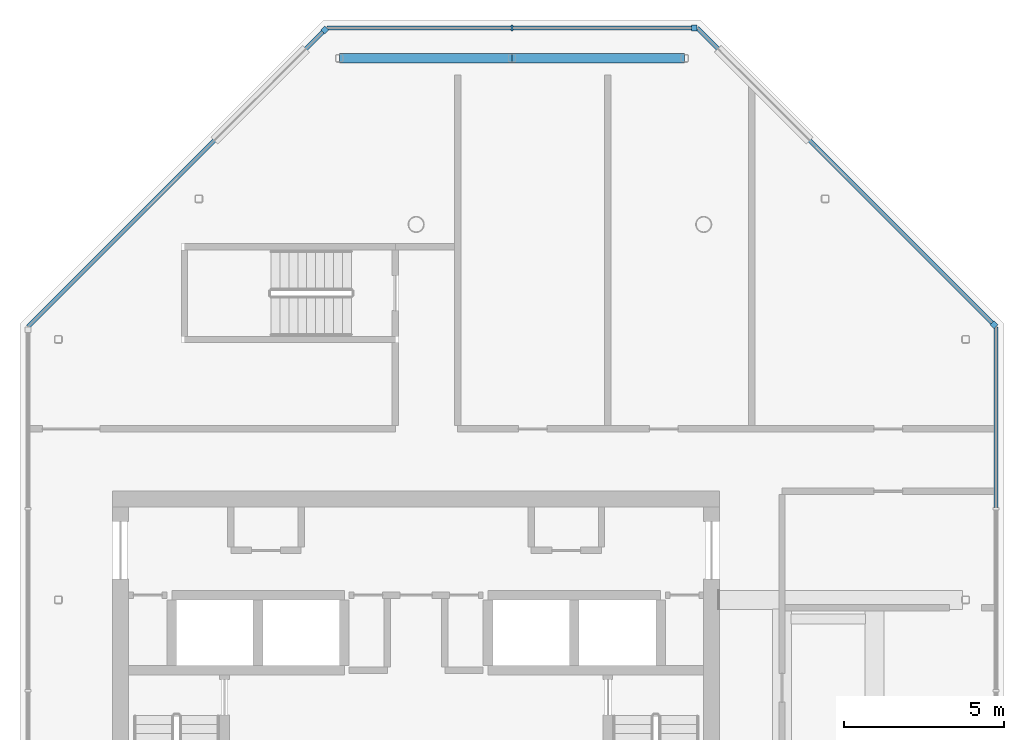
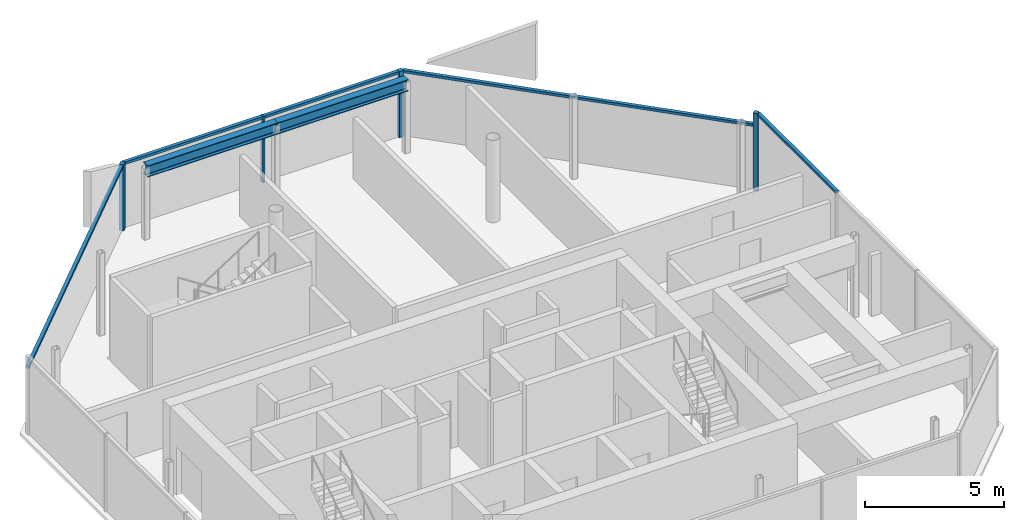
# One storey, part 3 of 7: 9 members, 2 beams, 4 elements without a shape of their own.
"""IFC4 building model written with IfcOpenShell, lengths in metres."""

from ifc_helpers import new_model, si_unit, direction, frame, origin, origin_2d, place, context, subcontext, project, spatial, rectangle, i_section, extrude, material, material_profile, profile_set, type_object, element, aggregate, save


model = new_model("IFC4")

# Units and contexts
model_context = context("Model", 3, precision=1e-05, world=origin(), true_north=direction((0.0, 1.0)))
body_context = subcontext(model_context, "Body", "Model", "MODEL_VIEW")
ifc_project = project(units=[si_unit("LENGTHUNIT", "METRE"), si_unit("AREAUNIT", "SQUARE_METRE"), si_unit("VOLUMEUNIT", "CUBIC_METRE"), si_unit("PLANEANGLEUNIT", "RADIAN"), si_unit("MASSUNIT", "GRAM", prefix="KILO")], contexts=[model_context])

# Site, building, storey
site_placement = place(None, origin())
site = spatial("IfcSite", under=ifc_project, at=site_placement, CompositionType="ELEMENT")
building_placement = place(site_placement, origin())
building = spatial("IfcBuilding", under=site, at=building_placement, Name="Tskaro Facet Tower", CompositionType="ELEMENT")
storey_placement = place(building_placement, frame((0.0, 0.0, 297.300048828125)))
storey = spatial("IfcBuildingStorey", under=building, at=storey_placement, Name="L80", CompositionType="ELEMENT", Elevation=297.300048828125)

# Curtain wall, member
ifc_material_1 = material(Name="Bronze anodised aluminium 6063-T6", Category="aluminium")
curtain_wall_type = type_object("IfcCurtainWallType", Name="Bronze crown curtain wall (FW5)", PredefinedType="NOTDEFINED", material=ifc_material_1)
curtain_wall_1_placement = place(storey_placement, origin())
curtain_wall_1 = element("IfcCurtainWall", 1, at=curtain_wall_1_placement, inside=storey, type_object=curtain_wall_type, Name="FW5 north-east facet L80", PredefinedType="NOTDEFINED")
ifc_material_profile_1 = material_profile(ifc_material_1, rectangle(XDim=0.179931640625, YDim=0.179931640625, at=origin_2d()), Name="Corner post 180x180")
ifc_profile_set_1 = profile_set([ifc_material_profile_1], Name="Bronze anodised aluminium 6063-T6")
member_type_1 = type_object("IfcMemberType", Name="FW5 bronze corner post 180x180", PredefinedType="MULLION", material=ifc_profile_set_1)
member_1_placement = place(storey_placement, frame((18.08642578125, 5.859619140625, 0.0), z_axis=(0.0, 0.0, 1.0), x_axis=(-0.707106781187, 0.707106781187, 0.0)))
member_1 = element("IfcMember", 2, at=member_1_placement, type_object=member_type_1, Name="FW5 north-east corner post", PredefinedType="MULLION", context=body_context, shape_type="SweptSolid", body=[
    extrude(rectangle(XDim=0.179931640625, YDim=0.179931640625, at=origin_2d()), origin(), (0.0, 0.0, 1.0), 3.39990234375),
])

curtain_wall_2_placement = place(storey_placement, origin())
curtain_wall_2 = element("IfcCurtainWall", 3, at=curtain_wall_2_placement, inside=storey, type_object=curtain_wall_type, Name="FW5 north facet L80", PredefinedType="NOTDEFINED")
member_2_placement = place(storey_placement, frame((8.7060546875, 15.14990234375, 0.0), z_axis=(0.0, 0.0, 1.0), x_axis=(-1.0, 0.0, 0.0)))
member_2 = element("IfcMember", 4, at=member_2_placement, type_object=member_type_1, Name="FW5 north corner post", PredefinedType="MULLION", context=body_context, shape_type="SweptSolid", body=[
    extrude(rectangle(XDim=0.179931640625, YDim=0.179931640625, at=origin_2d()), origin(), (0.0, 0.0, 1.0), 2.89990234375),
])

curtain_wall_3_placement = place(storey_placement, origin())
curtain_wall_3 = element("IfcCurtainWall", 5, at=curtain_wall_3_placement, inside=storey, type_object=curtain_wall_type, Name="FW5 north-west facet L80", PredefinedType="NOTDEFINED")
member_3_placement = place(storey_placement, frame((-2.859619140625, 15.08642578125, 0.0), z_axis=(0.0, 0.0, 1.0), x_axis=(-0.707106781187, -0.707106781187, 0.0)))
member_3 = element("IfcMember", 6, at=member_3_placement, type_object=member_type_1, Name="FW5 north-west corner post", PredefinedType="MULLION", context=body_context, shape_type="SweptSolid", body=[
    extrude(rectangle(XDim=0.179931640625, YDim=0.179931640625, at=origin_2d()), origin(), (0.0, 0.0, 1.0), 2.89990234375),
])

# Member
ifc_material_profile_2 = material_profile(ifc_material_1, rectangle(XDim=0.070068359375, YDim=0.179931640625, at=origin_2d()), Name="Mullion 70x180")
ifc_profile_set_2 = profile_set([ifc_material_profile_2], Name="Bronze anodised aluminium 6063-T6")
member_type_2 = type_object("IfcMemberType", Name="FW5 bronze mullion 70x180", PredefinedType="MULLION", material=ifc_profile_set_2)
member_4_placement = place(storey_placement, frame((3.0, 15.14990234375, 0.0), z_axis=(0.0, 0.0, 1.0), x_axis=(-1.0, 0.0, 0.0)))
member_4 = element("IfcMember", 7, at=member_4_placement, type_object=member_type_2, Name="FW5 north mullion 1", PredefinedType="MULLION", context=body_context, shape_type="SweptSolid", body=[
    extrude(rectangle(XDim=0.070068359375, YDim=0.179931640625, at=origin_2d()), origin(), (0.0, 0.0, 1.0), 2.89990234375),
])

# Curtain wall, member
curtain_wall_4_placement = place(storey_placement, origin())
curtain_wall_4 = element("IfcCurtainWall", 8, at=curtain_wall_4_placement, inside=storey, type_object=curtain_wall_type, Name="FW5 east facet L80", PredefinedType="NOTDEFINED")
ifc_material_profile_3 = material_profile(ifc_material_1, rectangle(XDim=0.139892578125, YDim=0.110107421875, at=origin_2d()), Name="Transom 140x110")
ifc_profile_set_3 = profile_set([ifc_material_profile_3], Name="Bronze anodised aluminium 6063-T6")
member_type_3 = type_object("IfcMemberType", Name="FW5 bronze transom 140x110", PredefinedType="USERDEFINED", material=ifc_profile_set_3)
member_5_placement = place(storey_placement, frame((18.14990234375, 0.133544921875, 3.344970703125), z_axis=(0.0, 1.0, 0.0), x_axis=(-1.0, 0.0, 0.0)))
member_5 = element("IfcMember", 9, at=member_5_placement, type_object=member_type_3, Name="FW5 east transom 3.1", ObjectType="TRANSOM", PredefinedType="USERDEFINED", context=body_context, shape_type="SweptSolid", body=[
    extrude(rectangle(XDim=0.139892578125, YDim=0.110107421875, at=origin_2d()), origin(), (0.0, 0.0, 1.0), 5.662353515625),
])
aggregate(curtain_wall_4, [member_5])

# Member
member_6_placement = place(storey_placement, frame((18.022705078125, 5.92333984375, 2.844970703125), z_axis=(-0.707116136245, 0.707097426004, 0.0), x_axis=(-0.707097426004, -0.707116136245, 0.0)))
member_6 = element("IfcMember", 10, at=member_6_placement, type_object=member_type_3, Name="FW5 north-east transom 1.1", ObjectType="TRANSOM", PredefinedType="USERDEFINED", context=body_context, shape_type="SweptSolid", body=[
    extrude(rectangle(XDim=0.139892578125, YDim=0.110107421875, at=origin_2d()), origin(), (0.0, 0.0, 1.0), 13.048583984375),
])

aggregate(curtain_wall_1, [member_1, member_6])

member_7_placement = place(storey_placement, frame((8.615966796875, 15.14990234375, 2.844970703125), z_axis=(-1.0, 0.0, 0.0), x_axis=(0.0, -1.0, 0.0)))
member_7 = element("IfcMember", 11, at=member_7_placement, type_object=member_type_3, Name="FW5 north transom 1.1", ObjectType="TRANSOM", PredefinedType="USERDEFINED", context=body_context, shape_type="SweptSolid", body=[
    extrude(rectangle(XDim=0.139892578125, YDim=0.110107421875, at=origin_2d()), origin(), (0.0, 0.0, 1.0), 5.5810546875),
])

member_8_placement = place(storey_placement, frame((2.965087890625, 15.14990234375, 2.844970703125), z_axis=(-1.0, 0.0, 0.0), x_axis=(0.0, -1.0, 0.0)))
member_8 = element("IfcMember", 12, at=member_8_placement, type_object=member_type_3, Name="FW5 north transom 2.1", ObjectType="TRANSOM", PredefinedType="USERDEFINED", context=body_context, shape_type="SweptSolid", body=[
    extrude(rectangle(XDim=0.139892578125, YDim=0.110107421875, at=origin_2d()), origin(), (0.0, 0.0, 1.0), 5.760986328125),
])

aggregate(curtain_wall_2, [member_2, member_4, member_7, member_8])

member_9_placement = place(storey_placement, frame((-2.92333984375, 15.022705078125, 2.844970703125), z_axis=(-0.707097426004, -0.707116136245, 0.0), x_axis=(0.707116136245, -0.707097426004, 0.0)))
member_9 = element("IfcMember", 13, at=member_9_placement, type_object=member_type_3, Name="FW5 north-west transom 1.1", ObjectType="TRANSOM", PredefinedType="USERDEFINED", context=body_context, shape_type="SweptSolid", body=[
    extrude(rectangle(XDim=0.139892578125, YDim=0.110107421875, at=origin_2d()), origin(), (0.0, 0.0, 1.0), 13.048583984375),
])

aggregate(curtain_wall_3, [member_3, member_9])

# Beams
ifc_material_2 = material(Name="Steel S355J2", Category="steel")
ifc_material_profile_4 = material_profile(ifc_material_2, i_section(OverallWidth=0.300048828125, OverallDepth=0.5, WebThickness=0.014404296875, FlangeThickness=0.028076171875, FilletRadius=0.027099609375, at=origin_2d()), Name="HE 500 B")
ifc_profile_set_4 = profile_set([ifc_material_profile_4], Name="Steel S355J2")
beam_type = type_object("IfcBeamType", Name="HE 500 B roof ring beam", PredefinedType="BEAM", material=ifc_profile_set_4)
for number, where, z_axis, x_axis, name in (
    (14, (8.403076171875, 14.199951171875, 2.991943359375), (-1.0, 0.0, 0.0), (0.0, -1.0, 0.0), "HE 500 B RB9-6"),
    (15, (3.0, 14.199951171875, 2.991943359375), (-1.0, 0.0, 0.0), (0.0, -1.0, 0.0), "HE 500 B RB10-6"),
):
    element("IfcBeam", number, at=place(storey_placement, frame(where, z_axis=z_axis, x_axis=x_axis)), inside=storey, type_object=beam_type, Name=name, PredefinedType="BEAM", context=body_context, shape_type="SweptSolid", body=[
        extrude(i_section(OverallWidth=0.300048828125, OverallDepth=0.5, WebThickness=0.014404296875, FlangeThickness=0.028076171875, FilletRadius=0.027099609375, at=origin_2d()), origin(), (0.0, 0.0, 1.0), 5.403076171875),
    ])

save(model, "model.ifc")
